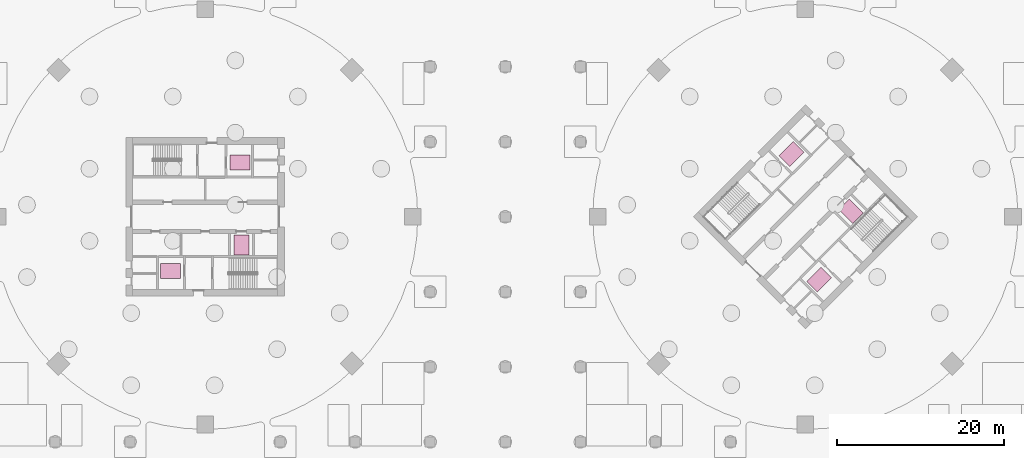
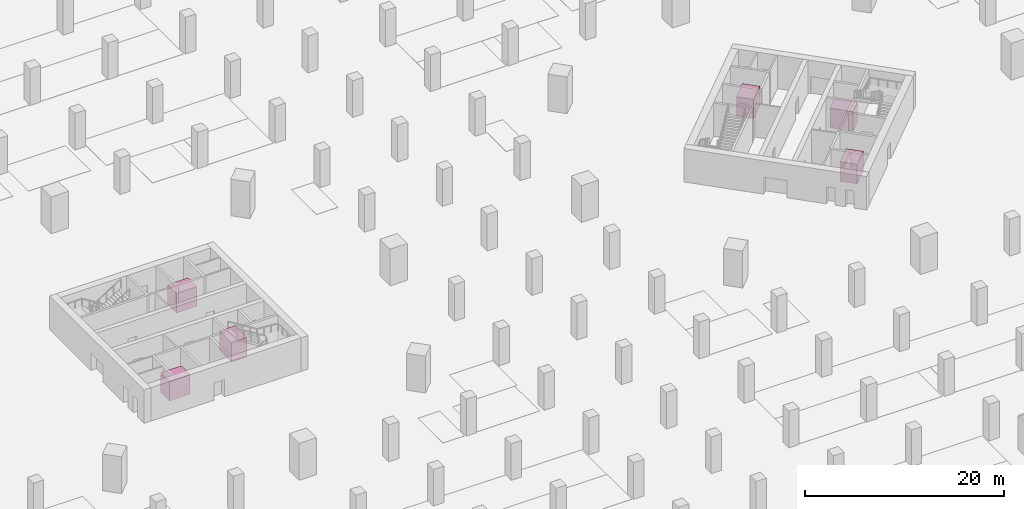
# One storey, part 39 of 39: 6 transport elements.
"""IFC4 building model written with IfcOpenShell, lengths in metres."""

from ifc_helpers import new_model, si_unit, direction, frame, origin, origin_2d, place, context, subcontext, project, spatial, rectangle, extrude, material, type_object, element, save


model = new_model("IFC4")

# Units and contexts
model_context = context("Model", 3, precision=1e-05, world=origin(), true_north=direction((0.0, 1.0)))
body_context = subcontext(model_context, "Body", "Model", "MODEL_VIEW")
ifc_project = project(units=[si_unit("LENGTHUNIT", "METRE"), si_unit("AREAUNIT", "SQUARE_METRE"), si_unit("VOLUMEUNIT", "CUBIC_METRE"), si_unit("PLANEANGLEUNIT", "RADIAN"), si_unit("MASSUNIT", "GRAM", prefix="KILO")], contexts=[model_context])

# Site, building, storey
site_placement = place(None, origin())
site = spatial("IfcSite", under=ifc_project, at=site_placement, CompositionType="ELEMENT")
building_placement = place(site_placement, origin())
building = spatial("IfcBuilding", under=site, at=building_placement, Name="Ogive Gate Towers", CompositionType="ELEMENT")
storey_placement = place(building_placement, frame((0.0, 0.0, -9.0)))
storey = spatial("IfcBuildingStorey", under=building, at=storey_placement, Name="B2", CompositionType="ELEMENT", Elevation=-9.0)

# Transport elements
ifc_material = material(Name="Stainless steel and glass lift car", Category="steel")
transport_element_type_1 = type_object("IfcTransportElementType", Name="Fire-fighting lift car 1800 x 2400", PredefinedType="ELEVATOR", material=ifc_material)
for number, where, z_axis, x_axis, name in (
    (1, (-31.85009765625, 6.5, 0.0), (0.0, 0.0, 1.0), (1.0, 0.0, 0.0), "Fire-fighting lift T1-FF1"),
    (2, (-40.14990234375, -6.5, 0.0), (0.0, 0.0, 1.0), (1.0, 0.0, 0.0), "Fire-fighting lift T1-FF2"),
    (3, (34.33837890625, 7.53076171875, 0.0), (0.0, 0.0, 1.0), (0.707106781187, 0.707106781187, 0.0), "Fire-fighting lift T2-FF1"),
    (4, (37.66162109375, -7.53076171875, 0.0), (0.0, 0.0, 1.0), (0.707106781187, 0.707106781187, 0.0), "Fire-fighting lift T2-FF2"),
):
    element("IfcTransportElement", number, at=place(storey_placement, frame(where, z_axis=z_axis, x_axis=x_axis)), inside=storey, type_object=transport_element_type_1, Name=name, PredefinedType="ELEVATOR", context=body_context, shape_type="SweptSolid", body=[
        extrude(rectangle(XDim=2.39990234375, YDim=1.800048828125, at=origin_2d()), origin(), (0.0, 0.0, 1.0), 2.39990234375),
    ])
transport_element_type_2 = type_object("IfcTransportElementType", Name="Service lift car 1800 x 2400", PredefinedType="ELEVATOR", material=ifc_material)
for number, where, z_axis, x_axis, name in (
    (5, (-31.64990234375, -3.39990234375, 0.0), (0.0, 0.0, 1.0), (1.0, 0.0, 0.0), "Service lift T1-SVC"),
    (6, (41.47998046875, 0.671875, 0.0), (0.0, 0.0, 1.0), (0.707106781187, 0.707106781187, 0.0), "Service lift T2-SVC"),
):
    element("IfcTransportElement", number, at=place(storey_placement, frame(where, z_axis=z_axis, x_axis=x_axis)), inside=storey, type_object=transport_element_type_2, Name=name, PredefinedType="ELEVATOR", context=body_context, shape_type="SweptSolid", body=[
        extrude(rectangle(XDim=1.800048828125, YDim=2.39990234375, at=origin_2d()), origin(), (0.0, 0.0, 1.0), 2.39990234375),
    ])

save(model, "model.ifc")
